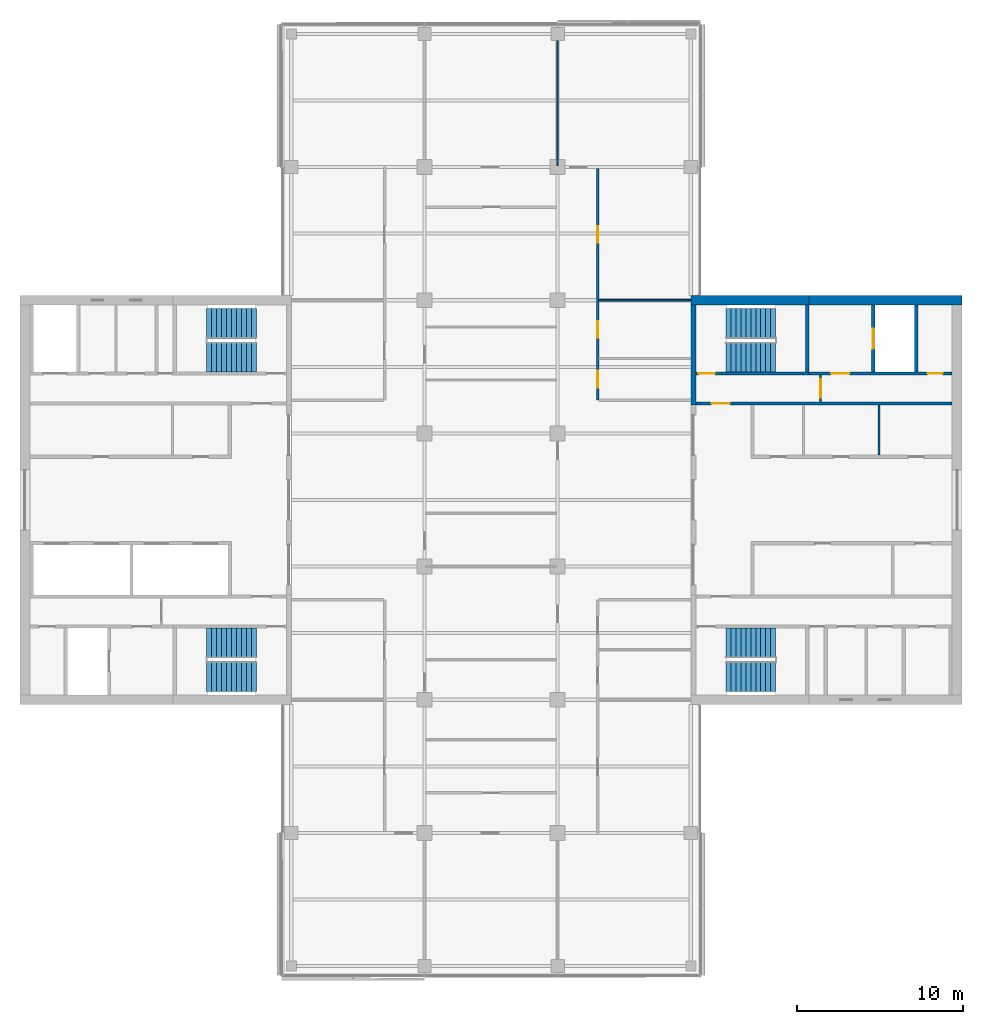
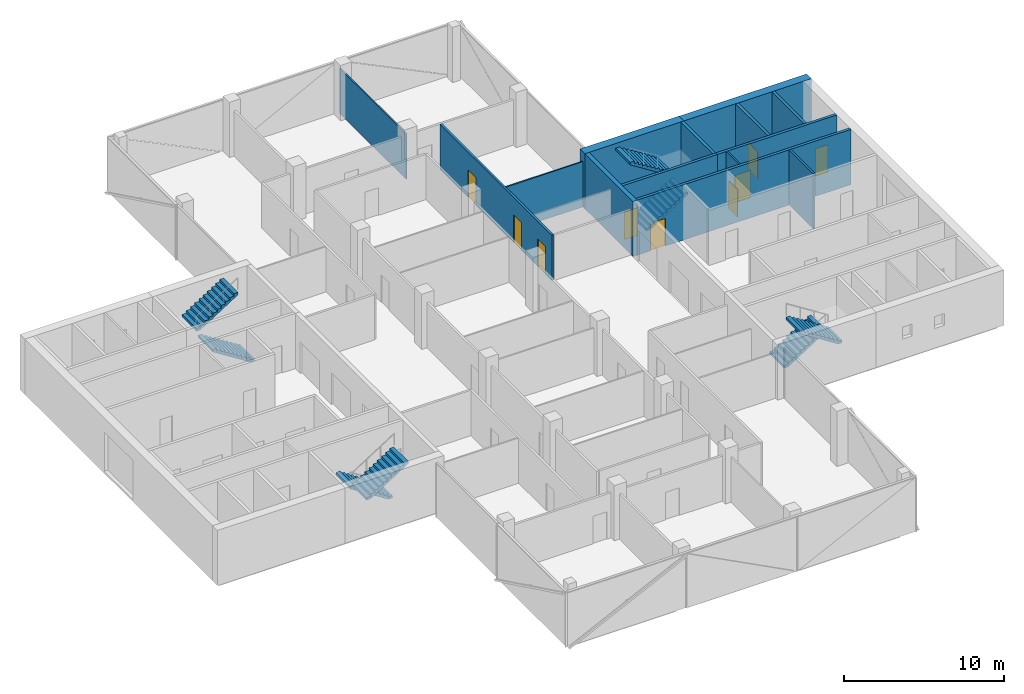
# One storey, part 12 of 15: 14 walls, 9 doors, 8 stair flights, 9 openings, 4 elements without a shape of their own.
"""IFC4 building model written with IfcOpenShell, lengths in metres."""

from ifc_helpers import new_model, si_unit, direction, frame, frame_2d, origin, place, context, subcontext, project, spatial, polyline, rectangle, outline, extrude, material, layer, layer_set, constituent, constituent_set, type_object, element, fill, aggregate, save


model = new_model("IFC4")

# Units and contexts
model_context = context("Model", 3, precision=1e-05, world=origin(), true_north=direction((0.0, 1.0)))
body_context = subcontext(model_context, "Body", "Model", "MODEL_VIEW")
ifc_project = project(units=[si_unit("LENGTHUNIT", "METRE"), si_unit("AREAUNIT", "SQUARE_METRE"), si_unit("VOLUMEUNIT", "CUBIC_METRE"), si_unit("PLANEANGLEUNIT", "RADIAN"), si_unit("MASSUNIT", "GRAM", prefix="KILO")], contexts=[model_context])

# Site, building, storey
site_placement = place(None, origin())
site = spatial("IfcSite", under=ifc_project, at=site_placement, CompositionType="ELEMENT")
building_placement = place(site_placement, origin())
building = spatial("IfcBuilding", under=site, at=building_placement, Name="Crosswind Convention Tower", CompositionType="ELEMENT")
storey_placement = place(building_placement, frame((0.0, 0.0, 195.699951171875)))
storey = spatial("IfcBuildingStorey", under=building, at=storey_placement, Name="L41", CompositionType="ELEMENT", Elevation=195.699951171875)

# Wall
ifc_material_1 = material(Name="Concrete C50/60", Category="concrete")
ifc_layer_1 = layer(ifc_material_1, 0.300048828125)
ifc_layer_set_1 = layer_set([ifc_layer_1], Name="Concrete C50/60")
wall_type_1 = type_object("IfcWallType", Name="Concrete inner core wall 300", PredefinedType="SHEAR", material=ifc_layer_set_1)
wall_1_placement = place(storey_placement, frame((137.14990234375, 105.699951171875, 0.0), z_axis=(0.0, 0.0, 1.0), x_axis=(0.0, 1.0, 0.0)))
element("IfcWall", 1, at=wall_1_placement, inside=storey, type_object=wall_type_1, Name="Wall EP E L41", PredefinedType="SHEAR", context=body_context, shape_type="SweptSolid", body=[
    extrude(rectangle(XDim=6.0, YDim=0.300048828125, at=frame_2d((3.0, 0.0))), origin(), (0.0, 0.0, 1.0), 4.199951171875),
])

# Wall, opening, door
ifc_layer_2 = layer(ifc_material_1, 0.199951171875)
ifc_layer_set_2 = layer_set([ifc_layer_2], Name="Concrete C50/60")
wall_type_2 = type_object("IfcWallType", Name="Concrete shaft and stair wall 200", PredefinedType="SHEAR", material=ifc_layer_set_2)
wall_2_placement = place(storey_placement, frame((137.300048828125, 105.800048828125, 0.0), z_axis=(0.0, 0.0, 1.0), x_axis=(1.0, 0.0, 0.0)))
wall_2 = element("IfcWall", 2, at=wall_2_placement, inside=storey, type_object=wall_type_2, Name="Wall HP E L41", PredefinedType="SHEAR", context=body_context, shape_type="SweptSolid", body=[
    extrude(rectangle(XDim=15.39990234375, YDim=0.199951171875, at=frame_2d((7.699951171875, 0.0))), origin(), (0.0, 0.0, 1.0), 4.199951171875),
])
opening_1_placement = place(wall_2_placement, frame((0.949951171875, 0.0, 0.0)))
opening_1 = element("IfcOpeningElement", 3, at=opening_1_placement, cuts=wall_2, Name="Opening D104", PredefinedType="OPENING", context=body_context, shape_type="SweptSolid", body=[
    extrude(rectangle(XDim=1.10009765625, YDim=2.10009765625, at=frame_2d((0.550048828125, 1.050048828125))), frame((0.0, 0.10986328125, 0.0), z_axis=(0.0, -1.0, 0.0), x_axis=(1.0, 0.0, 0.0)), (0.0, 0.0, 1.0), 0.219970703125),
])
ifc_material_2 = material(Name="Steel fire door", Category="steel")
door_type_1 = type_object("IfcDoorType", Name="Fire-rated single door 1100x2100", OperationType="NOTDEFINED", PredefinedType="DOOR", material=ifc_material_2)
door_1_placement = place(opening_1_placement, origin())
door_1 = element("IfcDoor", 4, at=door_1_placement, inside=storey, type_object=door_type_1, Name="Corridor door L41", ObjectType="D104", OperationType="SINGLE_SWING_LEFT", OverallHeight=2.10009765625, OverallWidth=1.10009765625, PredefinedType="DOOR", context=body_context, shape_type="SweptSolid", body=[
    extrude(rectangle(XDim=1.10009765625, YDim=2.10009765625, at=frame_2d((0.550048828125, 1.050048828125))), frame((0.0, 0.02490234375, 0.0), z_axis=(0.0, -1.0, 0.0), x_axis=(1.0, 0.0, 0.0)), (0.0, 0.0, 1.0), 0.050048828125),
])
fill(opening_1, door_1)

# Wall
wall_3_placement = place(storey_placement, frame((144.0, 107.699951171875, 0.0), z_axis=(0.0, 0.0, 1.0), x_axis=(0.0, 1.0, 0.0)))
element("IfcWall", 5, at=wall_3_placement, inside=storey, type_object=wall_type_2, Name="Wall PSE E L41", PredefinedType="SHEAR", context=body_context, shape_type="SweptSolid", body=[
    extrude(rectangle(XDim=4.0, YDim=0.199951171875, at=frame_2d((2.0, 0.0))), origin(), (0.0, 0.0, 1.0), 4.199951171875),
])

# Wall, opening, door
wall_4_placement = place(storey_placement, frame((147.949951171875, 107.699951171875, 0.0), z_axis=(0.0, 0.0, 1.0), x_axis=(0.0, 1.0, 0.0)))
wall_4 = element("IfcWall", 6, at=wall_4_placement, inside=storey, type_object=wall_type_2, Name="Wall PFLW E L41", PredefinedType="SHEAR", context=body_context, shape_type="SweptSolid", body=[
    extrude(rectangle(XDim=4.0, YDim=0.199951171875, at=frame_2d((2.0, 0.0))), origin(), (0.0, 0.0, 1.0), 4.199951171875),
])
opening_2_placement = place(wall_4_placement, frame((1.39990234375, 0.0, 0.0)))
opening_2 = element("IfcOpeningElement", 7, at=opening_2_placement, cuts=wall_4, Name="Opening LD1", PredefinedType="OPENING", context=body_context, shape_type="SweptSolid", body=[
    extrude(rectangle(XDim=1.199951171875, YDim=2.10009765625, at=frame_2d((0.60009765625, 1.050048828125))), frame((0.0, 0.10986328125, 0.0), z_axis=(0.0, -1.0, 0.0), x_axis=(1.0, 0.0, 0.0)), (0.0, 0.0, 1.0), 0.219970703125),
])
ifc_material_3 = material(Name="Stainless steel", Category="steel")
door_type_2 = type_object("IfcDoorType", Name="Lift landing door 1200x2100", OperationType="DOUBLE_DOOR_SLIDING", PredefinedType="DOOR", material=ifc_material_3)
door_2_placement = place(opening_2_placement, origin())
door_2 = element("IfcDoor", 8, at=door_2_placement, inside=storey, type_object=door_type_2, Name="Landing door FF1 L41", ObjectType="LD1", OperationType="DOUBLE_DOOR_SLIDING", OverallHeight=2.10009765625, OverallWidth=1.199951171875, PredefinedType="DOOR", context=body_context, shape_type="SweptSolid", body=[
    extrude(rectangle(XDim=1.199951171875, YDim=2.10009765625, at=frame_2d((0.60009765625, 1.050048828125))), frame((0.0, 0.02490234375, 0.0), z_axis=(0.0, -1.0, 0.0), x_axis=(1.0, 0.0, 0.0)), (0.0, 0.0, 1.0), 0.050048828125),
])
fill(opening_2, door_2)

# Wall
wall_5_placement = place(storey_placement, frame((150.550048828125, 107.699951171875, 0.0), z_axis=(0.0, 0.0, 1.0), x_axis=(0.0, 1.0, 0.0)))
element("IfcWall", 9, at=wall_5_placement, inside=storey, type_object=wall_type_2, Name="Wall PFSE E L41", PredefinedType="SHEAR", context=body_context, shape_type="SweptSolid", body=[
    extrude(rectangle(XDim=4.0, YDim=0.199951171875, at=frame_2d((2.0, 0.0))), origin(), (0.0, 0.0, 1.0), 4.199951171875),
])

# Wall, opening, door
wall_6_placement = place(storey_placement, frame((137.300048828125, 107.60009765625, 0.0), z_axis=(0.0, 0.0, 1.0), x_axis=(1.0, 0.0, 0.0)))
wall_6 = element("IfcWall", 10, at=wall_6_placement, inside=storey, type_object=wall_type_2, Name="Wall PCW E L41", PredefinedType="SHEAR", context=body_context, shape_type="SweptSolid", body=[
    extrude(rectangle(XDim=6.800048828125, YDim=0.199951171875, at=frame_2d((3.39990234375, 0.0))), origin(), (0.0, 0.0, 1.0), 4.199951171875),
])
opening_3_placement = place(wall_6_placement, frame((0.14990234375, 0.0, 0.0)))
opening_3 = element("IfcOpeningElement", 11, at=opening_3_placement, cuts=wall_6, Name="Opening D103", PredefinedType="OPENING", context=body_context, shape_type="SweptSolid", body=[
    extrude(rectangle(XDim=1.0, YDim=2.10009765625, at=frame_2d((0.5, 1.050048828125))), frame((0.0, 0.10986328125, 0.0), z_axis=(0.0, -1.0, 0.0), x_axis=(1.0, 0.0, 0.0)), (0.0, 0.0, 1.0), 0.219970703125),
])
door_type_3 = type_object("IfcDoorType", Name="Fire-rated single door 1000x2100", OperationType="NOTDEFINED", PredefinedType="DOOR", material=ifc_material_2)
door_3_placement = place(opening_3_placement, origin())
door_3 = element("IfcDoor", 12, at=door_3_placement, inside=storey, type_object=door_type_3, Name="Stair ST1 door L41", ObjectType="D103", OperationType="SINGLE_SWING_LEFT", OverallHeight=2.10009765625, OverallWidth=1.0, PredefinedType="DOOR", context=body_context, shape_type="SweptSolid", body=[
    extrude(rectangle(XDim=1.0, YDim=2.10009765625, at=frame_2d((0.5, 1.050048828125))), frame((0.0, 0.02490234375, 0.0), z_axis=(0.0, -1.0, 0.0), x_axis=(1.0, 0.0, 0.0)), (0.0, 0.0, 1.0), 0.050048828125),
])
fill(opening_3, door_3)

# Wall, openings, doors
wall_7_placement = place(storey_placement, frame((144.10009765625, 107.60009765625, 0.0), z_axis=(0.0, 0.0, 1.0), x_axis=(1.0, 0.0, 0.0)))
wall_7 = element("IfcWall", 13, at=wall_7_placement, inside=storey, type_object=wall_type_2, Name="Wall PCX E L41", PredefinedType="SHEAR", context=body_context, shape_type="SweptSolid", body=[
    extrude(rectangle(XDim=8.599853515625, YDim=0.199951171875, at=frame_2d((4.2998046875, 0.0))), origin(), (0.0, 0.0, 1.0), 4.199951171875),
])
opening_4_placement = place(wall_7_placement, frame((1.324951171875, 0.0, 0.0)))
opening_4 = element("IfcOpeningElement", 14, at=opening_4_placement, cuts=wall_7, Name="Opening D104", PredefinedType="OPENING", context=body_context, shape_type="SweptSolid", body=[
    extrude(rectangle(XDim=1.10009765625, YDim=2.10009765625, at=frame_2d((0.550048828125, 1.050048828125))), frame((0.0, 0.10986328125, 0.0), z_axis=(0.0, -1.0, 0.0), x_axis=(1.0, 0.0, 0.0)), (0.0, 0.0, 1.0), 0.219970703125),
])
opening_5_placement = place(wall_7_placement, frame((7.125, 0.0, 0.0)))
opening_5 = element("IfcOpeningElement", 15, at=opening_5_placement, cuts=wall_7, Name="Opening D106", PredefinedType="OPENING", context=body_context, shape_type="SweptSolid", body=[
    extrude(rectangle(XDim=0.89990234375, YDim=2.10009765625, at=frame_2d((0.449951171875, 1.050048828125))), frame((0.0, 0.10986328125, 0.0), z_axis=(0.0, -1.0, 0.0), x_axis=(1.0, 0.0, 0.0)), (0.0, 0.0, 1.0), 0.219970703125),
])
door_4_placement = place(opening_4_placement, origin())
door_4 = element("IfcDoor", 16, at=door_4_placement, inside=storey, type_object=door_type_1, Name="Fire-fighting lobby FF1 door L41", ObjectType="D104", OperationType="SINGLE_SWING_RIGHT", OverallHeight=2.10009765625, OverallWidth=1.10009765625, PredefinedType="DOOR", context=body_context, shape_type="SweptSolid", body=[
    extrude(rectangle(XDim=1.10009765625, YDim=2.10009765625, at=frame_2d((0.550048828125, 1.050048828125))), frame((0.0, 0.02490234375, 0.0), z_axis=(0.0, -1.0, 0.0), x_axis=(1.0, 0.0, 0.0)), (0.0, 0.0, 1.0), 0.050048828125),
])
fill(opening_4, door_4)
ifc_material_4 = material(Name="Timber door", Category="wood")
door_type_4 = type_object("IfcDoorType", Name="Single leaf door 900x2100", OperationType="NOTDEFINED", PredefinedType="DOOR", material=ifc_material_4)
door_5_placement = place(opening_5_placement, origin())
door_5 = element("IfcDoor", 17, at=door_5_placement, inside=storey, type_object=door_type_4, Name="Door to electrical room L41", ObjectType="D106", OperationType="SINGLE_SWING_RIGHT", OverallHeight=2.10009765625, OverallWidth=0.89990234375, PredefinedType="DOOR", context=body_context, shape_type="SweptSolid", body=[
    extrude(rectangle(XDim=0.89990234375, YDim=2.10009765625, at=frame_2d((0.449951171875, 1.050048828125))), frame((0.0, 0.02490234375, 0.0), z_axis=(0.0, -1.0, 0.0), x_axis=(1.0, 0.0, 0.0)), (0.0, 0.0, 1.0), 0.050048828125),
])
fill(opening_5, door_5)

# Wall
ifc_material_5 = material(Name="Gypsum plasterboard partition", Category="gypsum")
ifc_layer_3 = layer(ifc_material_5, 0.125)
ifc_layer_set_3 = layer_set([ifc_layer_3], Name="Drywall partition wall 125")
wall_type_3 = type_object("IfcWallType", Name="Drywall partition wall 125", PredefinedType="PARTITIONING", material=ifc_layer_set_3)
wall_8_placement = place(storey_placement, frame((148.297119140625, 102.699951171875, 0.0), z_axis=(0.0, 0.0, 1.0), x_axis=(0.0, 1.0, 0.0)))
element("IfcWall", 18, at=wall_8_placement, inside=storey, type_object=wall_type_3, Name="Wall RPP2 E L41", PredefinedType="PARTITIONING", context=body_context, shape_type="SweptSolid", body=[
    extrude(rectangle(XDim=3.0, YDim=0.125, at=frame_2d((1.5, 0.0))), origin(), (0.0, 0.0, 1.0), 4.199951171875),
])

# Wall, opening, door
wall_9_placement = place(storey_placement, frame((144.800048828125, 105.89990234375, 0.0), z_axis=(0.0, 0.0, 1.0), x_axis=(0.0, 1.0, 0.0)))
wall_9 = element("IfcWall", 19, at=wall_9_placement, inside=storey, type_object=wall_type_3, Name="Wall PXC1 E L41", PredefinedType="PARTITIONING", context=body_context, shape_type="SweptSolid", body=[
    extrude(rectangle(XDim=1.60009765625, YDim=0.125, at=frame_2d((0.800048828125, 0.0))), origin(), (0.0, 0.0, 1.0), 4.199951171875),
])
opening_6_placement = place(wall_9_placement, frame((0.25, 0.0, 0.0)))
opening_6 = element("IfcOpeningElement", 20, at=opening_6_placement, cuts=wall_9, Name="Opening D104", PredefinedType="OPENING", context=body_context, shape_type="SweptSolid", body=[
    extrude(rectangle(XDim=1.10009765625, YDim=2.10009765625, at=frame_2d((0.550048828125, 1.050048828125))), frame((0.0, 0.072509765625, 0.0), z_axis=(0.0, -1.0, 0.0), x_axis=(1.0, 0.0, 0.0)), (0.0, 0.0, 1.0), 0.14501953125),
])
door_6_placement = place(opening_6_placement, origin())
door_6 = element("IfcDoor", 21, at=door_6_placement, inside=storey, type_object=door_type_1, Name="Corridor smoke door L41", ObjectType="D104", OperationType="SINGLE_SWING_RIGHT", OverallHeight=2.10009765625, OverallWidth=1.10009765625, PredefinedType="DOOR", context=body_context, shape_type="SweptSolid", body=[
    extrude(rectangle(XDim=1.10009765625, YDim=2.10009765625, at=frame_2d((0.550048828125, 1.050048828125))), frame((0.0, 0.02490234375, 0.0), z_axis=(0.0, -1.0, 0.0), x_axis=(1.0, 0.0, 0.0)), (0.0, 0.0, 1.0), 0.050048828125),
])
fill(opening_6, door_6)

# Walls
ifc_material_6 = material(Name="Plasterboard partition", Category="gypsum")
ifc_layer_4 = layer(ifc_material_6, 0.10009765625)
ifc_layer_set_4 = layer_set([ifc_layer_4], Name="PARTITION 100 METAL STUD")
wall_type_4 = type_object("IfcWallType", Name="PARTITION 100 METAL STUD", PredefinedType="PARTITIONING", material=ifc_layer_set_4)
wall_10_placement = place(storey_placement, frame((129.0, 120.074951171875, 0.0), z_axis=(0.0, 0.0, 1.0), x_axis=(0.0, 1.0, 0.0)))
element("IfcWall", 22, at=wall_10_placement, inside=storey, type_object=wall_type_4, Name="Partition wall WT40", PredefinedType="PARTITIONING", context=body_context, shape_type="SweptSolid", body=[
    extrude(rectangle(XDim=8.295166015625, YDim=0.10009765625, at=frame_2d((4.1474609375, 0.0))), origin(), (0.0, 0.0, 1.0), 3.43994140625),
])
wall_11_placement = place(storey_placement, frame((131.47509765625, 112.0, 0.0), z_axis=(0.0, 0.0, 1.0), x_axis=(1.0, 0.0, 0.0)))
element("IfcWall", 23, at=wall_11_placement, inside=storey, type_object=wall_type_4, Name="Partition wall WT40", PredefinedType="PARTITIONING", context=body_context, shape_type="SweptSolid", body=[
    extrude(rectangle(XDim=5.52490234375, YDim=0.10009765625, at=frame_2d((2.762451171875, 0.0))), origin(), (0.0, 0.0, 1.0), 3.43994140625),
])

# Wall, openings, doors
ifc_material_7 = material(Name="Fire-board partition with mineral wool", Category="gypsum")
ifc_layer_5 = layer(ifc_material_7, 0.14990234375)
ifc_layer_set_5 = layer_set([ifc_layer_5], Name="TENANCY WALL 150 TWO-HOUR BOARD")
wall_type_5 = type_object("IfcWallType", Name="TENANCY WALL 150 TWO-HOUR BOARD", PredefinedType="PARTITIONING", material=ifc_layer_set_5)
wall_12_placement = place(storey_placement, frame((131.39990234375, 106.0, 0.0), z_axis=(0.0, 0.0, 1.0), x_axis=(0.0, 1.0, 0.0)))
wall_12 = element("IfcWall", 24, at=wall_12_placement, inside=storey, type_object=wall_type_5, Name="Tenancy wall WT41", PredefinedType="PARTITIONING", context=body_context, shape_type="SweptSolid", body=[
    extrude(rectangle(XDim=13.925048828125, YDim=0.14990234375, at=frame_2d((6.96240234375, 0.0))), origin(), (0.0, 0.0, 1.0), 3.43994140625),
])
opening_7_placement = place(wall_12_placement, frame((0.75, 0.0, 0.0)))
opening_7 = element("IfcOpeningElement", 25, at=opening_7_placement, cuts=wall_12, Name="Opening L41-50", PredefinedType="OPENING", context=body_context, shape_type="SweptSolid", body=[
    extrude(rectangle(XDim=1.0, YDim=2.10009765625, at=frame_2d((0.5, 1.050048828125))), frame((0.0, 0.0849609375, 0.0), z_axis=(0.0, -1.0, 0.0), x_axis=(1.0, 0.0, 0.0)), (0.0, 0.0, 1.0), 0.169921875),
])
opening_8_placement = place(wall_12_placement, frame((3.75, 0.0, 0.0)))
opening_8 = element("IfcOpeningElement", 26, at=opening_8_placement, cuts=wall_12, Name="Opening L41-51", PredefinedType="OPENING", context=body_context, shape_type="SweptSolid", body=[
    extrude(rectangle(XDim=1.0, YDim=2.10009765625, at=frame_2d((0.5, 1.050048828125))), frame((0.0, 0.0849609375, 0.0), z_axis=(0.0, -1.0, 0.0), x_axis=(1.0, 0.0, 0.0)), (0.0, 0.0, 1.0), 0.169921875),
])
opening_9_placement = place(wall_12_placement, frame((9.449951171875, 0.0, 0.0)))
opening_9 = element("IfcOpeningElement", 27, at=opening_9_placement, cuts=wall_12, Name="Opening L41-52", PredefinedType="OPENING", context=body_context, shape_type="SweptSolid", body=[
    extrude(rectangle(XDim=1.0, YDim=2.10009765625, at=frame_2d((0.5, 1.050048828125))), frame((0.0, 0.0849609375, 0.0), z_axis=(0.0, -1.0, 0.0), x_axis=(1.0, 0.0, 0.0)), (0.0, 0.0, 1.0), 0.169921875),
])
ifc_material_8 = material(Name="Timber fire door", Category="wood")
door_type_5 = type_object("IfcDoorType", Name="TENANCY ENTRANCE DOOR 1000X2100 FD30S", OperationType="NOTDEFINED", PredefinedType="DOOR", material=ifc_material_8)
door_7_placement = place(opening_7_placement, frame((1.0, 0.0, 0.0), z_axis=(0.0, 0.0, 1.0), x_axis=(-1.0, 0.0, 0.0)))
door_7 = element("IfcDoor", 28, at=door_7_placement, inside=storey, type_object=door_type_5, Name="Door L41-50", ObjectType="D41", OperationType="SINGLE_SWING_LEFT", OverallHeight=2.10009765625, OverallWidth=1.0, PredefinedType="DOOR", context=body_context, shape_type="SweptSolid", body=[
    extrude(rectangle(XDim=1.0, YDim=2.10009765625, at=frame_2d((0.5, 1.050048828125))), frame((0.0, 0.02490234375, 0.0), z_axis=(0.0, -1.0, 0.0), x_axis=(1.0, 0.0, 0.0)), (0.0, 0.0, 1.0), 0.050048828125),
])
fill(opening_7, door_7)
door_8_placement = place(opening_8_placement, frame((1.0, 0.0, 0.0), z_axis=(0.0, 0.0, 1.0), x_axis=(-1.0, 0.0, 0.0)))
door_8 = element("IfcDoor", 29, at=door_8_placement, inside=storey, type_object=door_type_5, Name="Door L41-51", ObjectType="D41", OperationType="SINGLE_SWING_LEFT", OverallHeight=2.10009765625, OverallWidth=1.0, PredefinedType="DOOR", context=body_context, shape_type="SweptSolid", body=[
    extrude(rectangle(XDim=1.0, YDim=2.10009765625, at=frame_2d((0.5, 1.050048828125))), frame((0.0, 0.02490234375, 0.0), z_axis=(0.0, -1.0, 0.0), x_axis=(1.0, 0.0, 0.0)), (0.0, 0.0, 1.0), 0.050048828125),
])
fill(opening_8, door_8)
door_9_placement = place(opening_9_placement, frame((1.0, 0.0, 0.0), z_axis=(0.0, 0.0, 1.0), x_axis=(-1.0, 0.0, 0.0)))
door_9 = element("IfcDoor", 30, at=door_9_placement, inside=storey, type_object=door_type_5, Name="Door L41-52", ObjectType="D41", OperationType="SINGLE_SWING_RIGHT", OverallHeight=2.10009765625, OverallWidth=1.0, PredefinedType="DOOR", context=body_context, shape_type="SweptSolid", body=[
    extrude(rectangle(XDim=1.0, YDim=2.10009765625, at=frame_2d((0.5, 1.050048828125))), frame((0.0, 0.02490234375, 0.0), z_axis=(0.0, -1.0, 0.0), x_axis=(1.0, 0.0, 0.0)), (0.0, 0.0, 1.0), 0.050048828125),
])
fill(opening_9, door_9)

# Walls
ifc_material_9 = material(Name="Concrete C60/75", Category="concrete")
ifc_constituent_1 = constituent(ifc_material_9, Name="Structure")
ifc_material_10 = material(Name="Terracotta rainscreen", Category="ceramic")
ifc_constituent_2 = constituent(ifc_material_10, Name="Facing")
ifc_constituent_set = constituent_set(constituents=[ifc_constituent_1, ifc_constituent_2], Name="Concrete C60/75, Terracotta rainscreen")
wall_type_6 = type_object("IfcWallType", Name="Terracotta rainscreen on concrete core wall 600", PredefinedType="SHEAR", material=ifc_constituent_set)
wall_13_placement = place(storey_placement, frame((137.0, 112.0, 0.0), z_axis=(0.0, 0.0, 1.0), x_axis=(1.0, 0.0, 0.0)))
element("IfcWall", 31, at=wall_13_placement, inside=storey, type_object=wall_type_6, Name="Wall N1 E L41", PredefinedType="SHEAR", context=body_context, shape_type="SweptSolid", body=[
    extrude(rectangle(XDim=7.10009765625, YDim=0.60009765625, at=frame_2d((3.550048828125, 0.0))), origin(), (0.0, 0.0, 1.0), 4.199951171875),
])
wall_14_placement = place(storey_placement, frame((144.10009765625, 112.0, 0.0), z_axis=(0.0, 0.0, 1.0), x_axis=(1.0, 0.0, 0.0)))
element("IfcWall", 32, at=wall_14_placement, inside=storey, type_object=wall_type_6, Name="Wall N2 E L41", PredefinedType="SHEAR", context=body_context, shape_type="SweptSolid", body=[
    extrude(rectangle(XDim=9.199951171875, YDim=0.60009765625, at=frame_2d((4.60009765625, 0.0))), origin(), (0.0, 0.0, 1.0), 4.199951171875),
])

# Stair, stair flights
ifc_material_11 = material(Name="Concrete C40/50", Category="concrete")
stair_type = type_object("IfcStairType", Name="Exit stair 1800 wide, 2 flights of 11 risers", PredefinedType="HALF_TURN_STAIR", material=ifc_material_11)
stair_1_placement = place(storey_placement, origin())
stair_1 = element("IfcStair", 33, at=stair_1_placement, inside=storey, type_object=stair_type, Name="Exit stair ST1 L41", ObjectType="ST5", PredefinedType="HALF_TURN_STAIR")
stair_flight_type = type_object("IfcStairFlightType", Name="Stair flight 1800 wide, 11 risers (SF4)", PredefinedType="STRAIGHT", material=ifc_material_11)
stair_flight_1_placement = place(storey_placement, frame((139.10009765625, 108.60009765625, 0.0), z_axis=(0.0, 0.0, 1.0), x_axis=(1.0, 0.0, 0.0)))
stair_flight_1 = element("IfcStairFlight", 34, at=stair_flight_1_placement, type_object=stair_flight_type, Name="ST1 flight 1", NumberOfRisers=11, NumberOfTreads=10, PredefinedType="STRAIGHT", RiserHeight=0.190909091, TreadLength=0.3, context=body_context, shape_type="SweptSolid", body=[
    extrude(outline(polyline([(0.0, 0.0), (0.0, 0.19091796875), (0.300048828125, 0.19091796875), (0.300048828125, 0.3818359375), (0.60009765625, 0.3818359375), (0.60009765625, 0.57275390625), (0.89990234375, 0.57275390625), (0.89990234375, 0.763671875), (1.199951171875, 0.763671875), (1.199951171875, 0.95458984375), (1.5, 0.95458984375), (1.5, 1.1455078125), (1.800048828125, 1.1455078125), (1.800048828125, 1.33642578125), (2.10009765625, 1.33642578125), (2.10009765625, 1.52734375), (2.39990234375, 1.52734375), (2.39990234375, 1.71826171875), (2.699951171875, 1.71826171875), (2.699951171875, 1.9091796875), (3.0, 1.9091796875), (3.0, 2.10009765625), (3.0, 1.7314453125), (0.279296875, 0.0), (0.0, 0.0)])), frame((0.0, 0.89990234375, 0.0), z_axis=(0.0, -1.0, 0.0), x_axis=(1.0, 0.0, 0.0)), (0.0, 0.0, 1.0), 1.800048828125),
])
stair_flight_2_placement = place(storey_placement, frame((142.10009765625, 110.60009765625, 2.10009765625), z_axis=(0.0, 0.0, 1.0), x_axis=(-1.0, 0.0, 0.0)))
stair_flight_2 = element("IfcStairFlight", 35, at=stair_flight_2_placement, type_object=stair_flight_type, Name="ST1 flight 2", NumberOfRisers=11, NumberOfTreads=10, PredefinedType="STRAIGHT", RiserHeight=0.190909091, TreadLength=0.3, context=body_context, shape_type="SweptSolid", body=[
    extrude(outline(polyline([(0.0, 0.0), (0.0, 0.19091796875), (0.300048828125, 0.19091796875), (0.300048828125, 0.3818359375), (0.60009765625, 0.3818359375), (0.60009765625, 0.57275390625), (0.89990234375, 0.57275390625), (0.89990234375, 0.763671875), (1.199951171875, 0.763671875), (1.199951171875, 0.95458984375), (1.5, 0.95458984375), (1.5, 1.1455078125), (1.800048828125, 1.1455078125), (1.800048828125, 1.33642578125), (2.10009765625, 1.33642578125), (2.10009765625, 1.52734375), (2.39990234375, 1.52734375), (2.39990234375, 1.71826171875), (2.699951171875, 1.71826171875), (2.699951171875, 1.9091796875), (3.0, 1.9091796875), (3.0, 2.10009765625), (3.0, 1.7314453125), (0.279296875, 0.0), (0.0, 0.0)])), frame((0.0, 0.89990234375, 0.0), z_axis=(0.0, -1.0, 0.0), x_axis=(1.0, 0.0, 0.0)), (0.0, 0.0, 1.0), 1.800048828125),
])
aggregate(stair_1, [stair_flight_1, stair_flight_2])

stair_2_placement = place(storey_placement, origin())
stair_2 = element("IfcStair", 36, at=stair_2_placement, inside=storey, type_object=stair_type, Name="Exit stair ST2 L41", ObjectType="ST5", PredefinedType="HALF_TURN_STAIR")
stair_flight_3_placement = place(storey_placement, frame((139.10009765625, 91.39990234375, 0.0), z_axis=(0.0, 0.0, 1.0), x_axis=(1.0, 0.0, 0.0)))
stair_flight_3 = element("IfcStairFlight", 37, at=stair_flight_3_placement, type_object=stair_flight_type, Name="ST2 flight 1", NumberOfRisers=11, NumberOfTreads=10, PredefinedType="STRAIGHT", RiserHeight=0.190909091, TreadLength=0.3, context=body_context, shape_type="SweptSolid", body=[
    extrude(outline(polyline([(0.0, 0.0), (0.0, 0.19091796875), (0.300048828125, 0.19091796875), (0.300048828125, 0.3818359375), (0.60009765625, 0.3818359375), (0.60009765625, 0.57275390625), (0.89990234375, 0.57275390625), (0.89990234375, 0.763671875), (1.199951171875, 0.763671875), (1.199951171875, 0.95458984375), (1.5, 0.95458984375), (1.5, 1.1455078125), (1.800048828125, 1.1455078125), (1.800048828125, 1.33642578125), (2.10009765625, 1.33642578125), (2.10009765625, 1.52734375), (2.39990234375, 1.52734375), (2.39990234375, 1.71826171875), (2.699951171875, 1.71826171875), (2.699951171875, 1.9091796875), (3.0, 1.9091796875), (3.0, 2.10009765625), (3.0, 1.7314453125), (0.279296875, 0.0), (0.0, 0.0)])), frame((0.0, 0.89990234375, 0.0), z_axis=(0.0, -1.0, 0.0), x_axis=(1.0, 0.0, 0.0)), (0.0, 0.0, 1.0), 1.800048828125),
])
stair_flight_4_placement = place(storey_placement, frame((142.10009765625, 89.39990234375, 2.10009765625), z_axis=(0.0, 0.0, 1.0), x_axis=(-1.0, 0.0, 0.0)))
stair_flight_4 = element("IfcStairFlight", 38, at=stair_flight_4_placement, type_object=stair_flight_type, Name="ST2 flight 2", NumberOfRisers=11, NumberOfTreads=10, PredefinedType="STRAIGHT", RiserHeight=0.190909091, TreadLength=0.3, context=body_context, shape_type="SweptSolid", body=[
    extrude(outline(polyline([(0.0, 0.0), (0.0, 0.19091796875), (0.300048828125, 0.19091796875), (0.300048828125, 0.3818359375), (0.60009765625, 0.3818359375), (0.60009765625, 0.57275390625), (0.89990234375, 0.57275390625), (0.89990234375, 0.763671875), (1.199951171875, 0.763671875), (1.199951171875, 0.95458984375), (1.5, 0.95458984375), (1.5, 1.1455078125), (1.800048828125, 1.1455078125), (1.800048828125, 1.33642578125), (2.10009765625, 1.33642578125), (2.10009765625, 1.52734375), (2.39990234375, 1.52734375), (2.39990234375, 1.71826171875), (2.699951171875, 1.71826171875), (2.699951171875, 1.9091796875), (3.0, 1.9091796875), (3.0, 2.10009765625), (3.0, 1.7314453125), (0.279296875, 0.0), (0.0, 0.0)])), frame((0.0, 0.89990234375, 0.0), z_axis=(0.0, -1.0, 0.0), x_axis=(1.0, 0.0, 0.0)), (0.0, 0.0, 1.0), 1.800048828125),
])
aggregate(stair_2, [stair_flight_3, stair_flight_4])

stair_3_placement = place(storey_placement, origin())
stair_3 = element("IfcStair", 39, at=stair_3_placement, inside=storey, type_object=stair_type, Name="Exit stair ST3 L41", ObjectType="ST5", PredefinedType="HALF_TURN_STAIR")
stair_flight_5_placement = place(storey_placement, frame((110.89990234375, 91.39990234375, 0.0), z_axis=(0.0, 0.0, 1.0), x_axis=(-1.0, 0.0, 0.0)))
stair_flight_5 = element("IfcStairFlight", 40, at=stair_flight_5_placement, type_object=stair_flight_type, Name="ST3 flight 1", NumberOfRisers=11, NumberOfTreads=10, PredefinedType="STRAIGHT", RiserHeight=0.190909091, TreadLength=0.3, context=body_context, shape_type="SweptSolid", body=[
    extrude(outline(polyline([(0.0, 0.0), (0.0, 0.19091796875), (0.300048828125, 0.19091796875), (0.300048828125, 0.3818359375), (0.60009765625, 0.3818359375), (0.60009765625, 0.57275390625), (0.89990234375, 0.57275390625), (0.89990234375, 0.763671875), (1.199951171875, 0.763671875), (1.199951171875, 0.95458984375), (1.5, 0.95458984375), (1.5, 1.1455078125), (1.800048828125, 1.1455078125), (1.800048828125, 1.33642578125), (2.10009765625, 1.33642578125), (2.10009765625, 1.52734375), (2.39990234375, 1.52734375), (2.39990234375, 1.71826171875), (2.699951171875, 1.71826171875), (2.699951171875, 1.9091796875), (3.0, 1.9091796875), (3.0, 2.10009765625), (3.0, 1.7314453125), (0.279296875, 0.0), (0.0, 0.0)])), frame((0.0, 0.89990234375, 0.0), z_axis=(0.0, -1.0, 0.0), x_axis=(1.0, 0.0, 0.0)), (0.0, 0.0, 1.0), 1.800048828125),
])
stair_flight_6_placement = place(storey_placement, frame((107.89990234375, 89.39990234375, 2.10009765625), z_axis=(0.0, 0.0, 1.0), x_axis=(1.0, 0.0, 0.0)))
stair_flight_6 = element("IfcStairFlight", 41, at=stair_flight_6_placement, type_object=stair_flight_type, Name="ST3 flight 2", NumberOfRisers=11, NumberOfTreads=10, PredefinedType="STRAIGHT", RiserHeight=0.190909091, TreadLength=0.3, context=body_context, shape_type="SweptSolid", body=[
    extrude(outline(polyline([(0.0, 0.0), (0.0, 0.19091796875), (0.300048828125, 0.19091796875), (0.300048828125, 0.3818359375), (0.60009765625, 0.3818359375), (0.60009765625, 0.57275390625), (0.89990234375, 0.57275390625), (0.89990234375, 0.763671875), (1.199951171875, 0.763671875), (1.199951171875, 0.95458984375), (1.5, 0.95458984375), (1.5, 1.1455078125), (1.800048828125, 1.1455078125), (1.800048828125, 1.33642578125), (2.10009765625, 1.33642578125), (2.10009765625, 1.52734375), (2.39990234375, 1.52734375), (2.39990234375, 1.71826171875), (2.699951171875, 1.71826171875), (2.699951171875, 1.9091796875), (3.0, 1.9091796875), (3.0, 2.10009765625), (3.0, 1.7314453125), (0.279296875, 0.0), (0.0, 0.0)])), frame((0.0, 0.89990234375, 0.0), z_axis=(0.0, -1.0, 0.0), x_axis=(1.0, 0.0, 0.0)), (0.0, 0.0, 1.0), 1.800048828125),
])
aggregate(stair_3, [stair_flight_5, stair_flight_6])

stair_4_placement = place(storey_placement, origin())
stair_4 = element("IfcStair", 42, at=stair_4_placement, inside=storey, type_object=stair_type, Name="Exit stair ST4 L41", ObjectType="ST5", PredefinedType="HALF_TURN_STAIR")
stair_flight_7_placement = place(storey_placement, frame((110.89990234375, 108.60009765625, 0.0), z_axis=(0.0, 0.0, 1.0), x_axis=(-1.0, 0.0, 0.0)))
stair_flight_7 = element("IfcStairFlight", 43, at=stair_flight_7_placement, type_object=stair_flight_type, Name="ST4 flight 1", NumberOfRisers=11, NumberOfTreads=10, PredefinedType="STRAIGHT", RiserHeight=0.190909091, TreadLength=0.3, context=body_context, shape_type="SweptSolid", body=[
    extrude(outline(polyline([(0.0, 0.0), (0.0, 0.19091796875), (0.300048828125, 0.19091796875), (0.300048828125, 0.3818359375), (0.60009765625, 0.3818359375), (0.60009765625, 0.57275390625), (0.89990234375, 0.57275390625), (0.89990234375, 0.763671875), (1.199951171875, 0.763671875), (1.199951171875, 0.95458984375), (1.5, 0.95458984375), (1.5, 1.1455078125), (1.800048828125, 1.1455078125), (1.800048828125, 1.33642578125), (2.10009765625, 1.33642578125), (2.10009765625, 1.52734375), (2.39990234375, 1.52734375), (2.39990234375, 1.71826171875), (2.699951171875, 1.71826171875), (2.699951171875, 1.9091796875), (3.0, 1.9091796875), (3.0, 2.10009765625), (3.0, 1.7314453125), (0.279296875, 0.0), (0.0, 0.0)])), frame((0.0, 0.89990234375, 0.0), z_axis=(0.0, -1.0, 0.0), x_axis=(1.0, 0.0, 0.0)), (0.0, 0.0, 1.0), 1.800048828125),
])
stair_flight_8_placement = place(storey_placement, frame((107.89990234375, 110.60009765625, 2.10009765625), z_axis=(0.0, 0.0, 1.0), x_axis=(1.0, 0.0, 0.0)))
stair_flight_8 = element("IfcStairFlight", 44, at=stair_flight_8_placement, type_object=stair_flight_type, Name="ST4 flight 2", NumberOfRisers=11, NumberOfTreads=10, PredefinedType="STRAIGHT", RiserHeight=0.190909091, TreadLength=0.3, context=body_context, shape_type="SweptSolid", body=[
    extrude(outline(polyline([(0.0, 0.0), (0.0, 0.19091796875), (0.300048828125, 0.19091796875), (0.300048828125, 0.3818359375), (0.60009765625, 0.3818359375), (0.60009765625, 0.57275390625), (0.89990234375, 0.57275390625), (0.89990234375, 0.763671875), (1.199951171875, 0.763671875), (1.199951171875, 0.95458984375), (1.5, 0.95458984375), (1.5, 1.1455078125), (1.800048828125, 1.1455078125), (1.800048828125, 1.33642578125), (2.10009765625, 1.33642578125), (2.10009765625, 1.52734375), (2.39990234375, 1.52734375), (2.39990234375, 1.71826171875), (2.699951171875, 1.71826171875), (2.699951171875, 1.9091796875), (3.0, 1.9091796875), (3.0, 2.10009765625), (3.0, 1.7314453125), (0.279296875, 0.0), (0.0, 0.0)])), frame((0.0, 0.89990234375, 0.0), z_axis=(0.0, -1.0, 0.0), x_axis=(1.0, 0.0, 0.0)), (0.0, 0.0, 1.0), 1.800048828125),
])
aggregate(stair_4, [stair_flight_7, stair_flight_8])

save(model, "model.ifc")
